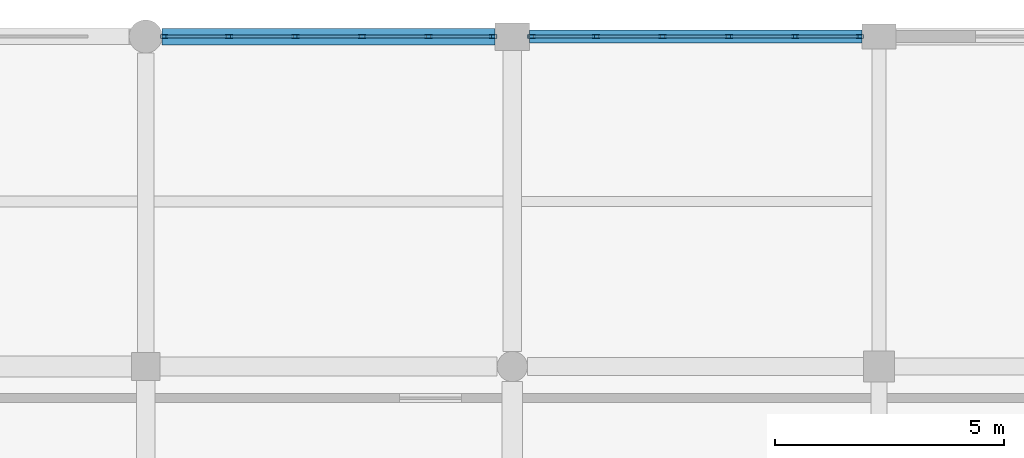
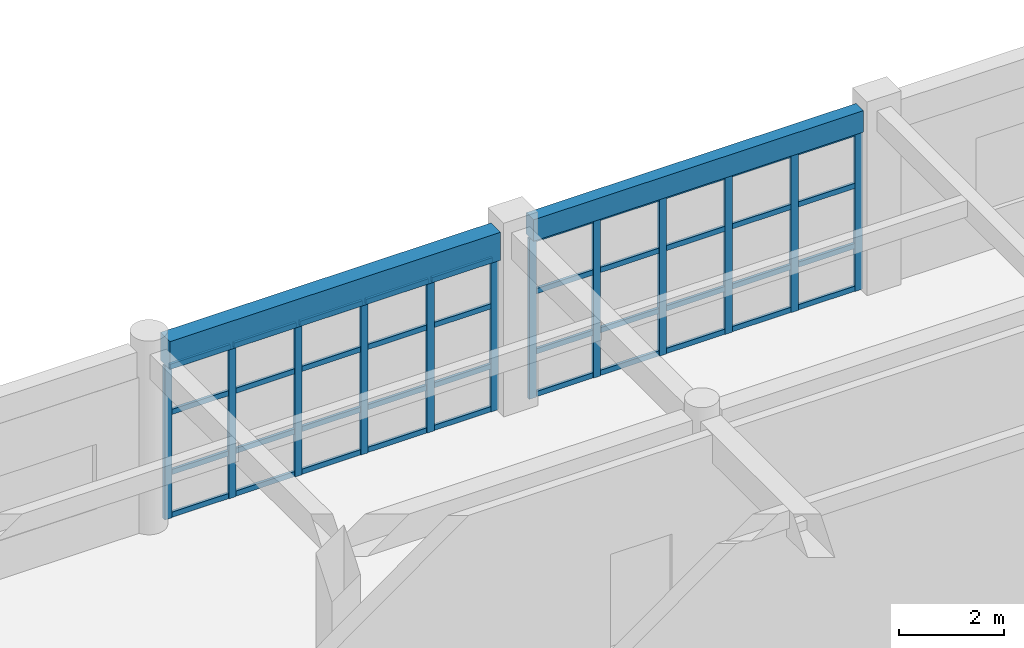
# One storey, part 79 of 160: 52 members, 2 beams, 2 elements without a shape of their own.
"""IFC4 building model written with IfcOpenShell, lengths in metres."""

from ifc_helpers import new_model, si_unit, direction, frame, origin, origin_2d, place, context, subcontext, project, spatial, rectangle, hollow_rectangle, extrude, material, material_profile, profile_set, type_object, element, aggregate, save


model = new_model("IFC4")

# Units and contexts
model_context = context("Model", 3, precision=1e-05, world=origin(), true_north=direction((0.0, 1.0)))
body_context = subcontext(model_context, "Body", "Model", "MODEL_VIEW")
ifc_project = project(units=[si_unit("LENGTHUNIT", "METRE"), si_unit("AREAUNIT", "SQUARE_METRE"), si_unit("VOLUMEUNIT", "CUBIC_METRE"), si_unit("PLANEANGLEUNIT", "RADIAN"), si_unit("MASSUNIT", "GRAM", prefix="KILO")], contexts=[model_context])

# Site, building, storey
site_placement = place(None, origin())
site = spatial("IfcSite", under=ifc_project, at=site_placement, CompositionType="ELEMENT")
building_placement = place(site_placement, origin())
building = spatial("IfcBuilding", under=site, at=building_placement, Name="Kharva Crest Polytechnic", CompositionType="ELEMENT")
storey_placement = place(building_placement, frame((0.0, 0.0, 4.5)))
storey = spatial("IfcBuildingStorey", under=building, at=storey_placement, Name="L01", CompositionType="ELEMENT", Elevation=4.5)

# Curtain wall, members
ifc_material_1 = material(Name="Tempered insulated glass", Category="glass")
curtain_wall_type = type_object("IfcCurtainWallType", Name="CW-SYS-COURT", PredefinedType="USERDEFINED", material=ifc_material_1)
curtain_wall_1_placement = place(storey_placement, origin())
curtain_wall_1 = element("IfcCurtainWall", 1, at=curtain_wall_1_placement, inside=storey, type_object=curtain_wall_type, Name="L01 Glazed Curtain Wall CW-074", ObjectType="CURTAIN WALL", PredefinedType="USERDEFINED")
ifc_material_2 = material(Name="Steel S355", Category="steel")
ifc_material_profile_1 = material_profile(ifc_material_2, hollow_rectangle(XDim=0.080078125, YDim=0.159912109375, WallThickness=0.0048828125, at=origin_2d()), Name="RHS 160X80X5.0")
ifc_profile_set_1 = profile_set([ifc_material_profile_1], Name="Steel S355")
member_type_1 = type_object("IfcMemberType", Name="CWM-RHS160X80", PredefinedType="MULLION", material=ifc_profile_set_1)
member_1_placement = place(storey_placement, frame((95.580078125, 122.0, 0.0), z_axis=(0.0, 0.0, 1.0), x_axis=(0.0, -1.0, 0.0)))
member_1 = element("IfcMember", 2, at=member_1_placement, type_object=member_type_1, Name="CW-074 mullion 1", PredefinedType="MULLION", context=body_context, shape_type="SweptSolid", body=[
    extrude(hollow_rectangle(XDim=0.080078125, YDim=0.159912109375, WallThickness=0.0048828125, at=origin_2d()), origin(), (0.0, 0.0, 1.0), 3.719970703125),
])
member_2_placement = place(storey_placement, frame((94.172119140625, 122.0, 0.0), z_axis=(0.0, 0.0, 1.0), x_axis=(0.0, -1.0, 0.0)))
member_2 = element("IfcMember", 3, at=member_2_placement, type_object=member_type_1, Name="CW-074 mullion 2", PredefinedType="MULLION", context=body_context, shape_type="SweptSolid", body=[
    extrude(hollow_rectangle(XDim=0.080078125, YDim=0.159912109375, WallThickness=0.0048828125, at=origin_2d()), origin(), (0.0, 0.0, 1.0), 3.719970703125),
])
member_3_placement = place(storey_placement, frame((92.72412109375, 122.0, 0.0), z_axis=(0.0, 0.0, 1.0), x_axis=(0.0, -1.0, 0.0)))
member_3 = element("IfcMember", 4, at=member_3_placement, type_object=member_type_1, Name="CW-074 mullion 3", PredefinedType="MULLION", context=body_context, shape_type="SweptSolid", body=[
    extrude(hollow_rectangle(XDim=0.080078125, YDim=0.159912109375, WallThickness=0.0048828125, at=origin_2d()), origin(), (0.0, 0.0, 1.0), 3.719970703125),
])
member_4_placement = place(storey_placement, frame((91.27587890625, 122.0, 0.0), z_axis=(0.0, 0.0, 1.0), x_axis=(0.0, -1.0, 0.0)))
member_4 = element("IfcMember", 5, at=member_4_placement, type_object=member_type_1, Name="CW-074 mullion 4", PredefinedType="MULLION", context=body_context, shape_type="SweptSolid", body=[
    extrude(hollow_rectangle(XDim=0.080078125, YDim=0.159912109375, WallThickness=0.0048828125, at=origin_2d()), origin(), (0.0, 0.0, 1.0), 3.719970703125),
])
member_5_placement = place(storey_placement, frame((89.827880859375, 122.0, 0.0), z_axis=(0.0, 0.0, 1.0), x_axis=(0.0, -1.0, 0.0)))
member_5 = element("IfcMember", 6, at=member_5_placement, type_object=member_type_1, Name="CW-074 mullion 5", PredefinedType="MULLION", context=body_context, shape_type="SweptSolid", body=[
    extrude(hollow_rectangle(XDim=0.080078125, YDim=0.159912109375, WallThickness=0.0048828125, at=origin_2d()), origin(), (0.0, 0.0, 1.0), 3.719970703125),
])
member_6_placement = place(storey_placement, frame((88.419921875, 122.0, 0.0), z_axis=(0.0, 0.0, 1.0), x_axis=(0.0, -1.0, 0.0)))
member_6 = element("IfcMember", 7, at=member_6_placement, type_object=member_type_1, Name="CW-074 mullion 6", PredefinedType="MULLION", context=body_context, shape_type="SweptSolid", body=[
    extrude(hollow_rectangle(XDim=0.080078125, YDim=0.159912109375, WallThickness=0.0048828125, at=origin_2d()), origin(), (0.0, 0.0, 1.0), 3.719970703125),
])

curtain_wall_2_placement = place(storey_placement, origin())
curtain_wall_2 = element("IfcCurtainWall", 8, at=curtain_wall_2_placement, inside=storey, type_object=curtain_wall_type, Name="L01 Glazed Curtain Wall CW-075", ObjectType="CURTAIN WALL", PredefinedType="USERDEFINED")
member_7_placement = place(storey_placement, frame((87.580078125, 122.0, 0.0), z_axis=(0.0, 0.0, 1.0), x_axis=(0.0, -1.0, 0.0)))
member_7 = element("IfcMember", 9, at=member_7_placement, type_object=member_type_1, Name="CW-075 mullion 1", PredefinedType="MULLION", context=body_context, shape_type="SweptSolid", body=[
    extrude(hollow_rectangle(XDim=0.080078125, YDim=0.159912109375, WallThickness=0.0048828125, at=origin_2d()), origin(), (0.0, 0.0, 1.0), 3.570068359375),
])
member_8_placement = place(storey_placement, frame((86.1689453125, 122.0, 0.0), z_axis=(0.0, 0.0, 1.0), x_axis=(0.0, -1.0, 0.0)))
member_8 = element("IfcMember", 10, at=member_8_placement, type_object=member_type_1, Name="CW-075 mullion 2", PredefinedType="MULLION", context=body_context, shape_type="SweptSolid", body=[
    extrude(hollow_rectangle(XDim=0.080078125, YDim=0.159912109375, WallThickness=0.0048828125, at=origin_2d()), origin(), (0.0, 0.0, 1.0), 3.570068359375),
])
member_9_placement = place(storey_placement, frame((84.718017578125, 122.0, 0.0), z_axis=(0.0, 0.0, 1.0), x_axis=(0.0, -1.0, 0.0)))
member_9 = element("IfcMember", 11, at=member_9_placement, type_object=member_type_1, Name="CW-075 mullion 3", PredefinedType="MULLION", context=body_context, shape_type="SweptSolid", body=[
    extrude(hollow_rectangle(XDim=0.080078125, YDim=0.159912109375, WallThickness=0.0048828125, at=origin_2d()), origin(), (0.0, 0.0, 1.0), 3.570068359375),
])
member_10_placement = place(storey_placement, frame((83.26708984375, 122.0, 0.0), z_axis=(0.0, 0.0, 1.0), x_axis=(0.0, -1.0, 0.0)))
member_10 = element("IfcMember", 12, at=member_10_placement, type_object=member_type_1, Name="CW-075 mullion 4", PredefinedType="MULLION", context=body_context, shape_type="SweptSolid", body=[
    extrude(hollow_rectangle(XDim=0.080078125, YDim=0.159912109375, WallThickness=0.0048828125, at=origin_2d()), origin(), (0.0, 0.0, 1.0), 3.570068359375),
])
member_11_placement = place(storey_placement, frame((81.81591796875, 122.0, 0.0), z_axis=(0.0, 0.0, 1.0), x_axis=(0.0, -1.0, 0.0)))
member_11 = element("IfcMember", 13, at=member_11_placement, type_object=member_type_1, Name="CW-075 mullion 5", PredefinedType="MULLION", context=body_context, shape_type="SweptSolid", body=[
    extrude(hollow_rectangle(XDim=0.080078125, YDim=0.159912109375, WallThickness=0.0048828125, at=origin_2d()), origin(), (0.0, 0.0, 1.0), 3.570068359375),
])
member_12_placement = place(storey_placement, frame((80.405029296875, 122.0, 0.0), z_axis=(0.0, 0.0, 1.0), x_axis=(0.0, -1.0, 0.0)))
member_12 = element("IfcMember", 14, at=member_12_placement, type_object=member_type_1, Name="CW-075 mullion 6", PredefinedType="MULLION", context=body_context, shape_type="SweptSolid", body=[
    extrude(hollow_rectangle(XDim=0.080078125, YDim=0.159912109375, WallThickness=0.0048828125, at=origin_2d()), origin(), (0.0, 0.0, 1.0), 3.570068359375),
])

# Member
ifc_material_profile_2 = material_profile(ifc_material_2, hollow_rectangle(XDim=0.06005859375, YDim=0.1201171875, WallThickness=0.00390625, at=origin_2d()), Name="RHS 120X60X4.0")
ifc_profile_set_2 = profile_set([ifc_material_profile_2], Name="Steel S355")
member_type_2 = type_object("IfcMemberType", Name="CWT-RHS120X60", PredefinedType="USERDEFINED", material=ifc_profile_set_2)
member_13_placement = place(storey_placement, frame((95.5400390625, 122.0, 0.06005859375), z_axis=(-1.0, 0.0, 0.0), x_axis=(0.0, -1.0, 0.0)))
member_13 = element("IfcMember", 15, at=member_13_placement, type_object=member_type_2, Name="CW-074 transom 1.1", ObjectType="TRANSOM", PredefinedType="USERDEFINED", context=body_context, shape_type="SweptSolid", body=[
    extrude(hollow_rectangle(XDim=0.06005859375, YDim=0.1201171875, WallThickness=0.00390625, at=origin_2d()), origin(), (0.0, 0.0, 1.0), 1.328125),
])

member_14_placement = place(storey_placement, frame((95.5400390625, 122.0, 1.050048828125), z_axis=(-1.0, 0.0, 0.0), x_axis=(0.0, -1.0, 0.0)))
member_14 = element("IfcMember", 16, at=member_14_placement, type_object=member_type_2, Name="CW-074 transom 1.2", ObjectType="TRANSOM", PredefinedType="USERDEFINED", context=body_context, shape_type="SweptSolid", body=[
    extrude(hollow_rectangle(XDim=0.06005859375, YDim=0.1201171875, WallThickness=0.00390625, at=origin_2d()), origin(), (0.0, 0.0, 1.0), 1.328125),
])

member_15_placement = place(storey_placement, frame((95.5400390625, 122.0, 2.449951171875), z_axis=(-1.0, 0.0, 0.0), x_axis=(0.0, -1.0, 0.0)))
member_15 = element("IfcMember", 17, at=member_15_placement, type_object=member_type_2, Name="CW-074 transom 1.3", ObjectType="TRANSOM", PredefinedType="USERDEFINED", context=body_context, shape_type="SweptSolid", body=[
    extrude(hollow_rectangle(XDim=0.06005859375, YDim=0.1201171875, WallThickness=0.00390625, at=origin_2d()), origin(), (0.0, 0.0, 1.0), 1.328125),
])

member_16_placement = place(storey_placement, frame((95.5400390625, 122.0, 3.659912109375), z_axis=(-1.0, 0.0, 0.0), x_axis=(0.0, -1.0, 0.0)))
member_16 = element("IfcMember", 18, at=member_16_placement, type_object=member_type_2, Name="CW-074 transom 1.4", ObjectType="TRANSOM", PredefinedType="USERDEFINED", context=body_context, shape_type="SweptSolid", body=[
    extrude(hollow_rectangle(XDim=0.06005859375, YDim=0.1201171875, WallThickness=0.00390625, at=origin_2d()), origin(), (0.0, 0.0, 1.0), 1.328125),
])

member_17_placement = place(storey_placement, frame((94.132080078125, 122.0, 0.06005859375), z_axis=(-1.0, 0.0, 0.0), x_axis=(0.0, -1.0, 0.0)))
member_17 = element("IfcMember", 19, at=member_17_placement, type_object=member_type_2, Name="CW-074 transom 2.1", ObjectType="TRANSOM", PredefinedType="USERDEFINED", context=body_context, shape_type="SweptSolid", body=[
    extrude(hollow_rectangle(XDim=0.06005859375, YDim=0.1201171875, WallThickness=0.00390625, at=origin_2d()), origin(), (0.0, 0.0, 1.0), 1.3681640625),
])

member_18_placement = place(storey_placement, frame((94.132080078125, 122.0, 1.050048828125), z_axis=(-1.0, 0.0, 0.0), x_axis=(0.0, -1.0, 0.0)))
member_18 = element("IfcMember", 20, at=member_18_placement, type_object=member_type_2, Name="CW-074 transom 2.2", ObjectType="TRANSOM", PredefinedType="USERDEFINED", context=body_context, shape_type="SweptSolid", body=[
    extrude(hollow_rectangle(XDim=0.06005859375, YDim=0.1201171875, WallThickness=0.00390625, at=origin_2d()), origin(), (0.0, 0.0, 1.0), 1.3681640625),
])

member_19_placement = place(storey_placement, frame((94.132080078125, 122.0, 2.449951171875), z_axis=(-1.0, 0.0, 0.0), x_axis=(0.0, -1.0, 0.0)))
member_19 = element("IfcMember", 21, at=member_19_placement, type_object=member_type_2, Name="CW-074 transom 2.3", ObjectType="TRANSOM", PredefinedType="USERDEFINED", context=body_context, shape_type="SweptSolid", body=[
    extrude(hollow_rectangle(XDim=0.06005859375, YDim=0.1201171875, WallThickness=0.00390625, at=origin_2d()), origin(), (0.0, 0.0, 1.0), 1.3681640625),
])

member_20_placement = place(storey_placement, frame((94.132080078125, 122.0, 3.659912109375), z_axis=(-1.0, 0.0, 0.0), x_axis=(0.0, -1.0, 0.0)))
member_20 = element("IfcMember", 22, at=member_20_placement, type_object=member_type_2, Name="CW-074 transom 2.4", ObjectType="TRANSOM", PredefinedType="USERDEFINED", context=body_context, shape_type="SweptSolid", body=[
    extrude(hollow_rectangle(XDim=0.06005859375, YDim=0.1201171875, WallThickness=0.00390625, at=origin_2d()), origin(), (0.0, 0.0, 1.0), 1.3681640625),
])

member_21_placement = place(storey_placement, frame((92.68408203125, 122.0, 0.06005859375), z_axis=(-1.0, 0.0, 0.0), x_axis=(0.0, -1.0, 0.0)))
member_21 = element("IfcMember", 23, at=member_21_placement, type_object=member_type_2, Name="CW-074 transom 3.1", ObjectType="TRANSOM", PredefinedType="USERDEFINED", context=body_context, shape_type="SweptSolid", body=[
    extrude(hollow_rectangle(XDim=0.06005859375, YDim=0.1201171875, WallThickness=0.00390625, at=origin_2d()), origin(), (0.0, 0.0, 1.0), 1.3681640625),
])

member_22_placement = place(storey_placement, frame((92.68408203125, 122.0, 1.050048828125), z_axis=(-1.0, 0.0, 0.0), x_axis=(0.0, -1.0, 0.0)))
member_22 = element("IfcMember", 24, at=member_22_placement, type_object=member_type_2, Name="CW-074 transom 3.2", ObjectType="TRANSOM", PredefinedType="USERDEFINED", context=body_context, shape_type="SweptSolid", body=[
    extrude(hollow_rectangle(XDim=0.06005859375, YDim=0.1201171875, WallThickness=0.00390625, at=origin_2d()), origin(), (0.0, 0.0, 1.0), 1.3681640625),
])

member_23_placement = place(storey_placement, frame((92.68408203125, 122.0, 2.449951171875), z_axis=(-1.0, 0.0, 0.0), x_axis=(0.0, -1.0, 0.0)))
member_23 = element("IfcMember", 25, at=member_23_placement, type_object=member_type_2, Name="CW-074 transom 3.3", ObjectType="TRANSOM", PredefinedType="USERDEFINED", context=body_context, shape_type="SweptSolid", body=[
    extrude(hollow_rectangle(XDim=0.06005859375, YDim=0.1201171875, WallThickness=0.00390625, at=origin_2d()), origin(), (0.0, 0.0, 1.0), 1.3681640625),
])

member_24_placement = place(storey_placement, frame((92.68408203125, 122.0, 3.659912109375), z_axis=(-1.0, 0.0, 0.0), x_axis=(0.0, -1.0, 0.0)))
member_24 = element("IfcMember", 26, at=member_24_placement, type_object=member_type_2, Name="CW-074 transom 3.4", ObjectType="TRANSOM", PredefinedType="USERDEFINED", context=body_context, shape_type="SweptSolid", body=[
    extrude(hollow_rectangle(XDim=0.06005859375, YDim=0.1201171875, WallThickness=0.00390625, at=origin_2d()), origin(), (0.0, 0.0, 1.0), 1.3681640625),
])

member_25_placement = place(storey_placement, frame((91.236083984375, 122.0, 0.06005859375), z_axis=(-1.0, 0.0, 0.0), x_axis=(0.0, -1.0, 0.0)))
member_25 = element("IfcMember", 27, at=member_25_placement, type_object=member_type_2, Name="CW-074 transom 4.1", ObjectType="TRANSOM", PredefinedType="USERDEFINED", context=body_context, shape_type="SweptSolid", body=[
    extrude(hollow_rectangle(XDim=0.06005859375, YDim=0.1201171875, WallThickness=0.00390625, at=origin_2d()), origin(), (0.0, 0.0, 1.0), 1.3681640625),
])

member_26_placement = place(storey_placement, frame((91.236083984375, 122.0, 1.050048828125), z_axis=(-1.0, 0.0, 0.0), x_axis=(0.0, -1.0, 0.0)))
member_26 = element("IfcMember", 28, at=member_26_placement, type_object=member_type_2, Name="CW-074 transom 4.2", ObjectType="TRANSOM", PredefinedType="USERDEFINED", context=body_context, shape_type="SweptSolid", body=[
    extrude(hollow_rectangle(XDim=0.06005859375, YDim=0.1201171875, WallThickness=0.00390625, at=origin_2d()), origin(), (0.0, 0.0, 1.0), 1.3681640625),
])

member_27_placement = place(storey_placement, frame((91.236083984375, 122.0, 2.449951171875), z_axis=(-1.0, 0.0, 0.0), x_axis=(0.0, -1.0, 0.0)))
member_27 = element("IfcMember", 29, at=member_27_placement, type_object=member_type_2, Name="CW-074 transom 4.3", ObjectType="TRANSOM", PredefinedType="USERDEFINED", context=body_context, shape_type="SweptSolid", body=[
    extrude(hollow_rectangle(XDim=0.06005859375, YDim=0.1201171875, WallThickness=0.00390625, at=origin_2d()), origin(), (0.0, 0.0, 1.0), 1.3681640625),
])

member_28_placement = place(storey_placement, frame((91.236083984375, 122.0, 3.659912109375), z_axis=(-1.0, 0.0, 0.0), x_axis=(0.0, -1.0, 0.0)))
member_28 = element("IfcMember", 30, at=member_28_placement, type_object=member_type_2, Name="CW-074 transom 4.4", ObjectType="TRANSOM", PredefinedType="USERDEFINED", context=body_context, shape_type="SweptSolid", body=[
    extrude(hollow_rectangle(XDim=0.06005859375, YDim=0.1201171875, WallThickness=0.00390625, at=origin_2d()), origin(), (0.0, 0.0, 1.0), 1.3681640625),
])

member_29_placement = place(storey_placement, frame((89.7880859375, 122.0, 0.06005859375), z_axis=(-1.0, 0.0, 0.0), x_axis=(0.0, -1.0, 0.0)))
member_29 = element("IfcMember", 31, at=member_29_placement, type_object=member_type_2, Name="CW-074 transom 5.1", ObjectType="TRANSOM", PredefinedType="USERDEFINED", context=body_context, shape_type="SweptSolid", body=[
    extrude(hollow_rectangle(XDim=0.06005859375, YDim=0.1201171875, WallThickness=0.00390625, at=origin_2d()), origin(), (0.0, 0.0, 1.0), 1.328125),
])

member_30_placement = place(storey_placement, frame((89.7880859375, 122.0, 1.050048828125), z_axis=(-1.0, 0.0, 0.0), x_axis=(0.0, -1.0, 0.0)))
member_30 = element("IfcMember", 32, at=member_30_placement, type_object=member_type_2, Name="CW-074 transom 5.2", ObjectType="TRANSOM", PredefinedType="USERDEFINED", context=body_context, shape_type="SweptSolid", body=[
    extrude(hollow_rectangle(XDim=0.06005859375, YDim=0.1201171875, WallThickness=0.00390625, at=origin_2d()), origin(), (0.0, 0.0, 1.0), 1.328125),
])

member_31_placement = place(storey_placement, frame((89.7880859375, 122.0, 2.449951171875), z_axis=(-1.0, 0.0, 0.0), x_axis=(0.0, -1.0, 0.0)))
member_31 = element("IfcMember", 33, at=member_31_placement, type_object=member_type_2, Name="CW-074 transom 5.3", ObjectType="TRANSOM", PredefinedType="USERDEFINED", context=body_context, shape_type="SweptSolid", body=[
    extrude(hollow_rectangle(XDim=0.06005859375, YDim=0.1201171875, WallThickness=0.00390625, at=origin_2d()), origin(), (0.0, 0.0, 1.0), 1.328125),
])

member_32_placement = place(storey_placement, frame((89.7880859375, 122.0, 3.659912109375), z_axis=(-1.0, 0.0, 0.0), x_axis=(0.0, -1.0, 0.0)))
member_32 = element("IfcMember", 34, at=member_32_placement, type_object=member_type_2, Name="CW-074 transom 5.4", ObjectType="TRANSOM", PredefinedType="USERDEFINED", context=body_context, shape_type="SweptSolid", body=[
    extrude(hollow_rectangle(XDim=0.06005859375, YDim=0.1201171875, WallThickness=0.00390625, at=origin_2d()), origin(), (0.0, 0.0, 1.0), 1.328125),
])

aggregate(curtain_wall_1, [member_1, member_2, member_3, member_4, member_5, member_6, member_13, member_14, member_15, member_16, member_17, member_18, member_19, member_20, member_21, member_22, member_23, member_24, member_25, member_26, member_27, member_28, member_29, member_30, member_31, member_32])

member_33_placement = place(storey_placement, frame((87.5400390625, 122.0, 0.06005859375), z_axis=(-1.0, 0.0, 0.0), x_axis=(0.0, -1.0, 0.0)))
member_33 = element("IfcMember", 35, at=member_33_placement, type_object=member_type_2, Name="CW-075 transom 1.1", ObjectType="TRANSOM", PredefinedType="USERDEFINED", context=body_context, shape_type="SweptSolid", body=[
    extrude(hollow_rectangle(XDim=0.06005859375, YDim=0.1201171875, WallThickness=0.00390625, at=origin_2d()), origin(), (0.0, 0.0, 1.0), 1.3310546875),
])

member_34_placement = place(storey_placement, frame((87.5400390625, 122.0, 1.050048828125), z_axis=(-1.0, 0.0, 0.0), x_axis=(0.0, -1.0, 0.0)))
member_34 = element("IfcMember", 36, at=member_34_placement, type_object=member_type_2, Name="CW-075 transom 1.2", ObjectType="TRANSOM", PredefinedType="USERDEFINED", context=body_context, shape_type="SweptSolid", body=[
    extrude(hollow_rectangle(XDim=0.06005859375, YDim=0.1201171875, WallThickness=0.00390625, at=origin_2d()), origin(), (0.0, 0.0, 1.0), 1.3310546875),
])

member_35_placement = place(storey_placement, frame((87.5400390625, 122.0, 2.449951171875), z_axis=(-1.0, 0.0, 0.0), x_axis=(0.0, -1.0, 0.0)))
member_35 = element("IfcMember", 37, at=member_35_placement, type_object=member_type_2, Name="CW-075 transom 1.3", ObjectType="TRANSOM", PredefinedType="USERDEFINED", context=body_context, shape_type="SweptSolid", body=[
    extrude(hollow_rectangle(XDim=0.06005859375, YDim=0.1201171875, WallThickness=0.00390625, at=origin_2d()), origin(), (0.0, 0.0, 1.0), 1.3310546875),
])

member_36_placement = place(storey_placement, frame((87.5400390625, 122.0, 3.510009765625), z_axis=(-1.0, 0.0, 0.0), x_axis=(0.0, -1.0, 0.0)))
member_36 = element("IfcMember", 38, at=member_36_placement, type_object=member_type_2, Name="CW-075 transom 1.4", ObjectType="TRANSOM", PredefinedType="USERDEFINED", context=body_context, shape_type="SweptSolid", body=[
    extrude(hollow_rectangle(XDim=0.06005859375, YDim=0.1201171875, WallThickness=0.00390625, at=origin_2d()), origin(), (0.0, 0.0, 1.0), 1.3310546875),
])

member_37_placement = place(storey_placement, frame((86.12890625, 122.0, 0.06005859375), z_axis=(-1.0, 0.0, 0.0), x_axis=(0.0, -1.0, 0.0)))
member_37 = element("IfcMember", 39, at=member_37_placement, type_object=member_type_2, Name="CW-075 transom 2.1", ObjectType="TRANSOM", PredefinedType="USERDEFINED", context=body_context, shape_type="SweptSolid", body=[
    extrude(hollow_rectangle(XDim=0.06005859375, YDim=0.1201171875, WallThickness=0.00390625, at=origin_2d()), origin(), (0.0, 0.0, 1.0), 1.370849609375),
])

member_38_placement = place(storey_placement, frame((86.12890625, 122.0, 1.050048828125), z_axis=(-1.0, 0.0, 0.0), x_axis=(0.0, -1.0, 0.0)))
member_38 = element("IfcMember", 40, at=member_38_placement, type_object=member_type_2, Name="CW-075 transom 2.2", ObjectType="TRANSOM", PredefinedType="USERDEFINED", context=body_context, shape_type="SweptSolid", body=[
    extrude(hollow_rectangle(XDim=0.06005859375, YDim=0.1201171875, WallThickness=0.00390625, at=origin_2d()), origin(), (0.0, 0.0, 1.0), 1.370849609375),
])

member_39_placement = place(storey_placement, frame((86.12890625, 122.0, 2.449951171875), z_axis=(-1.0, 0.0, 0.0), x_axis=(0.0, -1.0, 0.0)))
member_39 = element("IfcMember", 41, at=member_39_placement, type_object=member_type_2, Name="CW-075 transom 2.3", ObjectType="TRANSOM", PredefinedType="USERDEFINED", context=body_context, shape_type="SweptSolid", body=[
    extrude(hollow_rectangle(XDim=0.06005859375, YDim=0.1201171875, WallThickness=0.00390625, at=origin_2d()), origin(), (0.0, 0.0, 1.0), 1.370849609375),
])

member_40_placement = place(storey_placement, frame((86.12890625, 122.0, 3.510009765625), z_axis=(-1.0, 0.0, 0.0), x_axis=(0.0, -1.0, 0.0)))
member_40 = element("IfcMember", 42, at=member_40_placement, type_object=member_type_2, Name="CW-075 transom 2.4", ObjectType="TRANSOM", PredefinedType="USERDEFINED", context=body_context, shape_type="SweptSolid", body=[
    extrude(hollow_rectangle(XDim=0.06005859375, YDim=0.1201171875, WallThickness=0.00390625, at=origin_2d()), origin(), (0.0, 0.0, 1.0), 1.370849609375),
])

member_41_placement = place(storey_placement, frame((84.677978515625, 122.0, 0.06005859375), z_axis=(-1.0, 0.0, 0.0), x_axis=(0.0, -1.0, 0.0)))
member_41 = element("IfcMember", 43, at=member_41_placement, type_object=member_type_2, Name="CW-075 transom 3.1", ObjectType="TRANSOM", PredefinedType="USERDEFINED", context=body_context, shape_type="SweptSolid", body=[
    extrude(hollow_rectangle(XDim=0.06005859375, YDim=0.1201171875, WallThickness=0.00390625, at=origin_2d()), origin(), (0.0, 0.0, 1.0), 1.37109375),
])

member_42_placement = place(storey_placement, frame((84.677978515625, 122.0, 1.050048828125), z_axis=(-1.0, 0.0, 0.0), x_axis=(0.0, -1.0, 0.0)))
member_42 = element("IfcMember", 44, at=member_42_placement, type_object=member_type_2, Name="CW-075 transom 3.2", ObjectType="TRANSOM", PredefinedType="USERDEFINED", context=body_context, shape_type="SweptSolid", body=[
    extrude(hollow_rectangle(XDim=0.06005859375, YDim=0.1201171875, WallThickness=0.00390625, at=origin_2d()), origin(), (0.0, 0.0, 1.0), 1.37109375),
])

member_43_placement = place(storey_placement, frame((84.677978515625, 122.0, 2.449951171875), z_axis=(-1.0, 0.0, 0.0), x_axis=(0.0, -1.0, 0.0)))
member_43 = element("IfcMember", 45, at=member_43_placement, type_object=member_type_2, Name="CW-075 transom 3.3", ObjectType="TRANSOM", PredefinedType="USERDEFINED", context=body_context, shape_type="SweptSolid", body=[
    extrude(hollow_rectangle(XDim=0.06005859375, YDim=0.1201171875, WallThickness=0.00390625, at=origin_2d()), origin(), (0.0, 0.0, 1.0), 1.37109375),
])

member_44_placement = place(storey_placement, frame((84.677978515625, 122.0, 3.510009765625), z_axis=(-1.0, 0.0, 0.0), x_axis=(0.0, -1.0, 0.0)))
member_44 = element("IfcMember", 46, at=member_44_placement, type_object=member_type_2, Name="CW-075 transom 3.4", ObjectType="TRANSOM", PredefinedType="USERDEFINED", context=body_context, shape_type="SweptSolid", body=[
    extrude(hollow_rectangle(XDim=0.06005859375, YDim=0.1201171875, WallThickness=0.00390625, at=origin_2d()), origin(), (0.0, 0.0, 1.0), 1.37109375),
])

member_45_placement = place(storey_placement, frame((83.22705078125, 122.0, 0.06005859375), z_axis=(-1.0, 0.0, 0.0), x_axis=(0.0, -1.0, 0.0)))
member_45 = element("IfcMember", 47, at=member_45_placement, type_object=member_type_2, Name="CW-075 transom 4.1", ObjectType="TRANSOM", PredefinedType="USERDEFINED", context=body_context, shape_type="SweptSolid", body=[
    extrude(hollow_rectangle(XDim=0.06005859375, YDim=0.1201171875, WallThickness=0.00390625, at=origin_2d()), origin(), (0.0, 0.0, 1.0), 1.37109375),
])

member_46_placement = place(storey_placement, frame((83.22705078125, 122.0, 1.050048828125), z_axis=(-1.0, 0.0, 0.0), x_axis=(0.0, -1.0, 0.0)))
member_46 = element("IfcMember", 48, at=member_46_placement, type_object=member_type_2, Name="CW-075 transom 4.2", ObjectType="TRANSOM", PredefinedType="USERDEFINED", context=body_context, shape_type="SweptSolid", body=[
    extrude(hollow_rectangle(XDim=0.06005859375, YDim=0.1201171875, WallThickness=0.00390625, at=origin_2d()), origin(), (0.0, 0.0, 1.0), 1.37109375),
])

member_47_placement = place(storey_placement, frame((83.22705078125, 122.0, 2.449951171875), z_axis=(-1.0, 0.0, 0.0), x_axis=(0.0, -1.0, 0.0)))
member_47 = element("IfcMember", 49, at=member_47_placement, type_object=member_type_2, Name="CW-075 transom 4.3", ObjectType="TRANSOM", PredefinedType="USERDEFINED", context=body_context, shape_type="SweptSolid", body=[
    extrude(hollow_rectangle(XDim=0.06005859375, YDim=0.1201171875, WallThickness=0.00390625, at=origin_2d()), origin(), (0.0, 0.0, 1.0), 1.37109375),
])

member_48_placement = place(storey_placement, frame((83.22705078125, 122.0, 3.510009765625), z_axis=(-1.0, 0.0, 0.0), x_axis=(0.0, -1.0, 0.0)))
member_48 = element("IfcMember", 50, at=member_48_placement, type_object=member_type_2, Name="CW-075 transom 4.4", ObjectType="TRANSOM", PredefinedType="USERDEFINED", context=body_context, shape_type="SweptSolid", body=[
    extrude(hollow_rectangle(XDim=0.06005859375, YDim=0.1201171875, WallThickness=0.00390625, at=origin_2d()), origin(), (0.0, 0.0, 1.0), 1.37109375),
])

member_49_placement = place(storey_placement, frame((81.77587890625, 122.0, 0.06005859375), z_axis=(-1.0, 0.0, 0.0), x_axis=(0.0, -1.0, 0.0)))
member_49 = element("IfcMember", 51, at=member_49_placement, type_object=member_type_2, Name="CW-075 transom 5.1", ObjectType="TRANSOM", PredefinedType="USERDEFINED", context=body_context, shape_type="SweptSolid", body=[
    extrude(hollow_rectangle(XDim=0.06005859375, YDim=0.1201171875, WallThickness=0.00390625, at=origin_2d()), origin(), (0.0, 0.0, 1.0), 1.330810546875),
])

member_50_placement = place(storey_placement, frame((81.77587890625, 122.0, 1.050048828125), z_axis=(-1.0, 0.0, 0.0), x_axis=(0.0, -1.0, 0.0)))
member_50 = element("IfcMember", 52, at=member_50_placement, type_object=member_type_2, Name="CW-075 transom 5.2", ObjectType="TRANSOM", PredefinedType="USERDEFINED", context=body_context, shape_type="SweptSolid", body=[
    extrude(hollow_rectangle(XDim=0.06005859375, YDim=0.1201171875, WallThickness=0.00390625, at=origin_2d()), origin(), (0.0, 0.0, 1.0), 1.330810546875),
])

member_51_placement = place(storey_placement, frame((81.77587890625, 122.0, 2.449951171875), z_axis=(-1.0, 0.0, 0.0), x_axis=(0.0, -1.0, 0.0)))
member_51 = element("IfcMember", 53, at=member_51_placement, type_object=member_type_2, Name="CW-075 transom 5.3", ObjectType="TRANSOM", PredefinedType="USERDEFINED", context=body_context, shape_type="SweptSolid", body=[
    extrude(hollow_rectangle(XDim=0.06005859375, YDim=0.1201171875, WallThickness=0.00390625, at=origin_2d()), origin(), (0.0, 0.0, 1.0), 1.330810546875),
])

member_52_placement = place(storey_placement, frame((81.77587890625, 122.0, 3.510009765625), z_axis=(-1.0, 0.0, 0.0), x_axis=(0.0, -1.0, 0.0)))
member_52 = element("IfcMember", 54, at=member_52_placement, type_object=member_type_2, Name="CW-075 transom 5.4", ObjectType="TRANSOM", PredefinedType="USERDEFINED", context=body_context, shape_type="SweptSolid", body=[
    extrude(hollow_rectangle(XDim=0.06005859375, YDim=0.1201171875, WallThickness=0.00390625, at=origin_2d()), origin(), (0.0, 0.0, 1.0), 1.330810546875),
])

aggregate(curtain_wall_2, [member_7, member_8, member_9, member_10, member_11, member_12, member_33, member_34, member_35, member_36, member_37, member_38, member_39, member_40, member_41, member_42, member_43, member_44, member_45, member_46, member_47, member_48, member_49, member_50, member_51, member_52])

# Beams
ifc_material_3 = material(Name="Concrete C35/45", Category="concrete")
ifc_material_profile_3 = material_profile(ifc_material_3, rectangle(XDim=0.280029296875, YDim=0.5, at=origin_2d()), Name="RECT 280 X 500")
ifc_profile_set_3 = profile_set([ifc_material_profile_3], Name="Concrete C35/45")
beam_type_1 = type_object("IfcBeamType", Name="SP-RC-280X500", PredefinedType="SPANDREL", material=ifc_profile_set_3)
beam_1_placement = place(storey_placement, frame((88.375, 122.0, 3.969970703125), z_axis=(1.0, 0.0, 0.0), x_axis=(0.0, 1.0, 0.0)))
element("IfcBeam", 55, at=beam_1_placement, inside=storey, type_object=beam_type_1, Name="L01 Beam S/12-13", PredefinedType="SPANDREL", context=body_context, shape_type="SweptSolid", body=[
    extrude(rectangle(XDim=0.280029296875, YDim=0.5, at=origin_2d()), origin(), (0.0, 0.0, 1.0), 7.25),
])
ifc_material_profile_4 = material_profile(ifc_material_3, rectangle(XDim=0.360107421875, YDim=0.64990234375, at=origin_2d()), Name="RECT 360 X 650")
ifc_profile_set_4 = profile_set([ifc_material_profile_4], Name="Concrete C35/45")
beam_type_2 = type_object("IfcBeamType", Name="SP-RC-360X650", PredefinedType="SPANDREL", material=ifc_profile_set_4)
beam_2_placement = place(storey_placement, frame((80.360107421875, 122.0, 3.89501953125), z_axis=(1.0, 0.0, 0.0), x_axis=(0.0, 1.0, 0.0)))
element("IfcBeam", 56, at=beam_2_placement, inside=storey, type_object=beam_type_2, Name="L01 Beam S/11-12", PredefinedType="SPANDREL", context=body_context, shape_type="SweptSolid", body=[
    extrude(rectangle(XDim=0.360107421875, YDim=0.64990234375, at=origin_2d()), origin(), (0.0, 0.0, 1.0), 7.264892578125),
])

save(model, "model.ifc")
